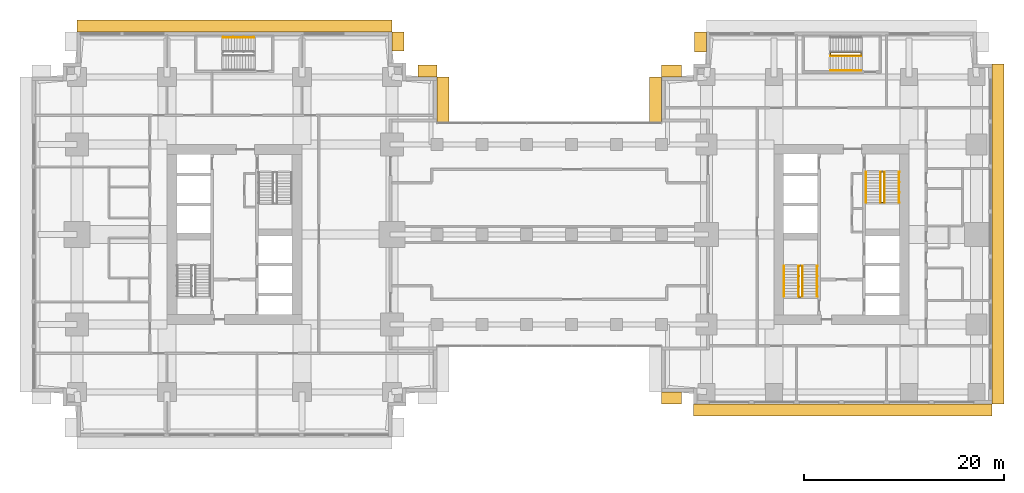
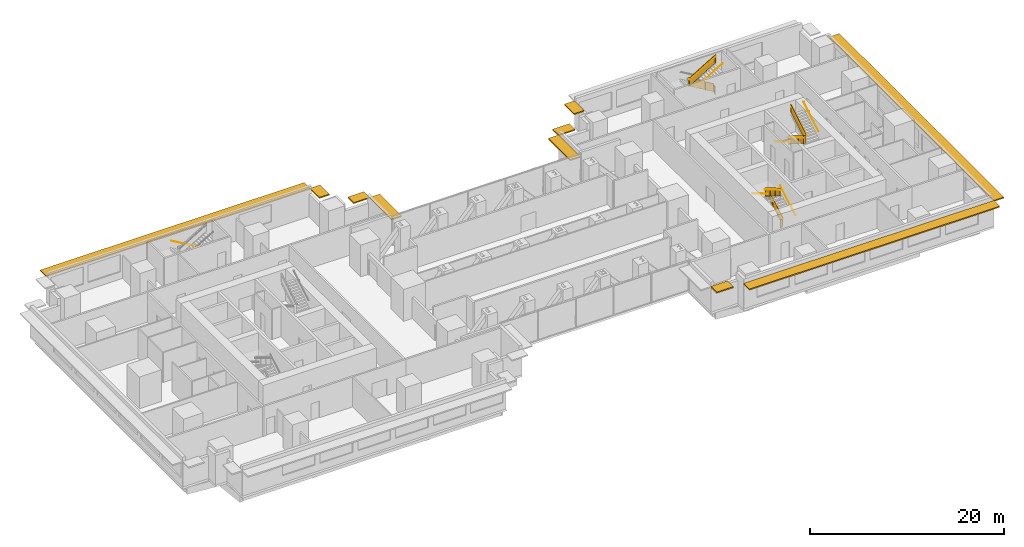
# One storey, part 14 of 15: 14 railings, 10 shading devices.
"""IFC4 building model written with IfcOpenShell, lengths in metres."""

from ifc_helpers import new_model, si_unit, direction, frame, origin, origin_2d, place, context, subcontext, project, spatial, polyline, rectangle, circle, outline, extrude, material, layer, layer_set, type_object, element, save


model = new_model("IFC4")

# Units and contexts
model_context = context("Model", 3, precision=1e-05, world=origin(), true_north=direction((0.0, 1.0)))
body_context = subcontext(model_context, "Body", "Model", "MODEL_VIEW")
ifc_project = project(units=[si_unit("LENGTHUNIT", "METRE"), si_unit("AREAUNIT", "SQUARE_METRE"), si_unit("VOLUMEUNIT", "CUBIC_METRE"), si_unit("PLANEANGLEUNIT", "RADIAN"), si_unit("MASSUNIT", "GRAM", prefix="KILO")], contexts=[model_context])

# Site, building, storey
site_placement = place(None, origin())
site = spatial("IfcSite", under=ifc_project, at=site_placement, CompositionType="ELEMENT")
building_placement = place(site_placement, origin())
building = spatial("IfcBuilding", under=site, at=building_placement, Name="Namib Vertical Campus", CompositionType="ELEMENT")
storey_placement = place(building_placement, frame((0.0, 0.0, 109.0)))
storey = spatial("IfcBuildingStorey", under=building, at=storey_placement, Name="L25", CompositionType="ELEMENT", Elevation=109.0)

# Railings
ifc_material_1 = material(Name="Steel handrail", Category="steel")
railing_type_1 = type_object("IfcRailingType", Name="Handrail 900", PredefinedType="HANDRAIL", material=ifc_material_1)
railing_1_placement = place(storey_placement, frame((78.550048828125, 14.0, 0.166748046875)))
element("IfcRailing", 1, at=railing_1_placement, inside=storey, type_object=railing_type_1, Name="Handrail HR1 B-S1 L25 1", PredefinedType="HANDRAIL", context=body_context, shape_type="SweptSolid", body=[
    extrude(circle(Radius=0.02392578125, at=origin_2d()), frame((0.0, 0.0, 0.8759765625), z_axis=(0.0, 0.859308565015, 0.511457515432), x_axis=(-1.0, 0.0, 0.0)), (0.0, 0.0, 1.0), 3.58447265625),
    extrude(circle(Radius=0.008056640625, at=origin_2d()), frame((0.0, 0.0, 0.8759765625), z_axis=(1.0, 0.0, 0.0), x_axis=(0.0, 0.0, 1.0)), (0.0, 0.0, 1.0), 0.050048828125),
    extrude(circle(Radius=0.008056640625, at=origin_2d()), frame((0.0, 1.026611328125, 1.48681640625), z_axis=(1.0, 0.0, 0.0), x_axis=(0.0, 0.0, 1.0)), (0.0, 0.0, 1.0), 0.050048828125),
    extrude(circle(Radius=0.008056640625, at=origin_2d()), frame((0.0, 2.053466796875, 2.09814453125), z_axis=(1.0, 0.0, 0.0), x_axis=(0.0, 0.0, 1.0)), (0.0, 0.0, 1.0), 0.050048828125),
    extrude(circle(Radius=0.008056640625, at=origin_2d()), frame((0.0, 3.080078125, 2.708984375), z_axis=(1.0, 0.0, 0.0), x_axis=(0.0, 0.0, 1.0)), (0.0, 0.0, 1.0), 0.050048828125),
])
railing_2_placement = place(storey_placement, frame((75.25, 17.080078125, 2.166748046875)))
element("IfcRailing", 2, at=railing_2_placement, inside=storey, type_object=railing_type_1, Name="Handrail HR1 B-S1 L25 2", PredefinedType="HANDRAIL", context=body_context, shape_type="SweptSolid", body=[
    extrude(circle(Radius=0.02392578125, at=origin_2d()), frame((0.0, 0.0, 0.8759765625), z_axis=(0.0, -0.859308565015, 0.511457515432), x_axis=(1.0, 0.0, 0.0)), (0.0, 0.0, 1.0), 3.58447265625),
    extrude(circle(Radius=0.008056640625, at=origin_2d()), frame((0.0, 0.0, 0.8759765625), z_axis=(-1.0, 0.0, 0.0), x_axis=(0.0, 0.0, 1.0)), (0.0, 0.0, 1.0), 0.050048828125),
    extrude(circle(Radius=0.008056640625, at=origin_2d()), frame((0.0, -1.026611328125, 1.48681640625), z_axis=(-1.0, 0.0, 0.0), x_axis=(0.0, 0.0, 1.0)), (0.0, 0.0, 1.0), 0.050048828125),
    extrude(circle(Radius=0.008056640625, at=origin_2d()), frame((0.0, -2.053466796875, 2.09814453125), z_axis=(-1.0, 0.0, 0.0), x_axis=(0.0, 0.0, 1.0)), (0.0, 0.0, 1.0), 0.050048828125),
    extrude(circle(Radius=0.008056640625, at=origin_2d()), frame((0.0, -3.080078125, 2.708984375), z_axis=(-1.0, 0.0, 0.0), x_axis=(0.0, 0.0, 1.0)), (0.0, 0.0, 1.0), 0.050048828125),
])
railing_3_placement = place(storey_placement, frame((77.10009765625, 14.0, 0.166748046875)))
element("IfcRailing", 3, at=railing_3_placement, inside=storey, type_object=railing_type_1, Name="Handrail HR1 B-S1 L25 1 at the well", PredefinedType="HANDRAIL", context=body_context, shape_type="SweptSolid", body=[
    extrude(circle(Radius=0.02392578125, at=origin_2d()), frame((0.0, 0.0, 0.8759765625), z_axis=(0.0, 0.859308565015, 0.511457515432), x_axis=(-1.0, 0.0, 0.0)), (0.0, 0.0, 1.0), 3.58447265625),
    extrude(circle(Radius=0.008056640625, at=origin_2d()), frame((0.0, 0.0, 0.8759765625), z_axis=(-1.0, 0.0, 0.0), x_axis=(0.0, 0.0, 1.0)), (0.0, 0.0, 1.0), 0.0400390625),
    extrude(circle(Radius=0.008056640625, at=origin_2d()), frame((0.0, 1.026611328125, 1.48681640625), z_axis=(-1.0, 0.0, 0.0), x_axis=(0.0, 0.0, 1.0)), (0.0, 0.0, 1.0), 0.0400390625),
    extrude(circle(Radius=0.008056640625, at=origin_2d()), frame((0.0, 2.053466796875, 2.09814453125), z_axis=(-1.0, 0.0, 0.0), x_axis=(0.0, 0.0, 1.0)), (0.0, 0.0, 1.0), 0.0400390625),
    extrude(circle(Radius=0.008056640625, at=origin_2d()), frame((0.0, 3.080078125, 2.708984375), z_axis=(-1.0, 0.0, 0.0), x_axis=(0.0, 0.0, 1.0)), (0.0, 0.0, 1.0), 0.0400390625),
])
railing_4_placement = place(storey_placement, frame((76.699951171875, 17.080078125, 2.166748046875)))
element("IfcRailing", 4, at=railing_4_placement, inside=storey, type_object=railing_type_1, Name="Handrail HR1 B-S1 L25 2 at the well", PredefinedType="HANDRAIL", context=body_context, shape_type="SweptSolid", body=[
    extrude(circle(Radius=0.02392578125, at=origin_2d()), frame((0.0, 0.0, 0.8759765625), z_axis=(0.0, -0.859308565015, 0.511457515432), x_axis=(1.0, 0.0, 0.0)), (0.0, 0.0, 1.0), 3.58447265625),
    extrude(circle(Radius=0.008056640625, at=origin_2d()), frame((0.0, 0.0, 0.8759765625), z_axis=(1.0, 0.0, 0.0), x_axis=(0.0, 0.0, 1.0)), (0.0, 0.0, 1.0), 0.0400390625),
    extrude(circle(Radius=0.008056640625, at=origin_2d()), frame((0.0, -1.026611328125, 1.48681640625), z_axis=(1.0, 0.0, 0.0), x_axis=(0.0, 0.0, 1.0)), (0.0, 0.0, 1.0), 0.0400390625),
    extrude(circle(Radius=0.008056640625, at=origin_2d()), frame((0.0, -2.053466796875, 2.09814453125), z_axis=(1.0, 0.0, 0.0), x_axis=(0.0, 0.0, 1.0)), (0.0, 0.0, 1.0), 0.0400390625),
    extrude(circle(Radius=0.008056640625, at=origin_2d()), frame((0.0, -3.080078125, 2.708984375), z_axis=(1.0, 0.0, 0.0), x_axis=(0.0, 0.0, 1.0)), (0.0, 0.0, 1.0), 0.0400390625),
])
railing_5_placement = place(storey_placement, frame((83.449951171875, 26.5, 0.166748046875)))
element("IfcRailing", 5, at=railing_5_placement, inside=storey, type_object=railing_type_1, Name="Handrail HR1 B-S2 L25 1", PredefinedType="HANDRAIL", context=body_context, shape_type="SweptSolid", body=[
    extrude(circle(Radius=0.02392578125, at=origin_2d()), frame((0.0, 0.0, 0.8759765625), z_axis=(0.0, -0.859308565015, 0.511457515432), x_axis=(1.0, 0.0, 0.0)), (0.0, 0.0, 1.0), 3.58447265625),
    extrude(circle(Radius=0.008056640625, at=origin_2d()), frame((0.0, 0.0, 0.8759765625), z_axis=(-1.0, 0.0, 0.0), x_axis=(0.0, 0.0, 1.0)), (0.0, 0.0, 1.0), 0.050048828125),
    extrude(circle(Radius=0.008056640625, at=origin_2d()), frame((0.0, -1.026611328125, 1.48681640625), z_axis=(-1.0, 0.0, 0.0), x_axis=(0.0, 0.0, 1.0)), (0.0, 0.0, 1.0), 0.050048828125),
    extrude(circle(Radius=0.008056640625, at=origin_2d()), frame((0.0, -2.053466796875, 2.09814453125), z_axis=(-1.0, 0.0, 0.0), x_axis=(0.0, 0.0, 1.0)), (0.0, 0.0, 1.0), 0.050048828125),
    extrude(circle(Radius=0.008056640625, at=origin_2d()), frame((0.0, -3.080078125, 2.708984375), z_axis=(-1.0, 0.0, 0.0), x_axis=(0.0, 0.0, 1.0)), (0.0, 0.0, 1.0), 0.050048828125),
])
railing_6_placement = place(storey_placement, frame((86.75, 23.419921875, 2.166748046875)))
element("IfcRailing", 6, at=railing_6_placement, inside=storey, type_object=railing_type_1, Name="Handrail HR1 B-S2 L25 2", PredefinedType="HANDRAIL", context=body_context, shape_type="SweptSolid", body=[
    extrude(circle(Radius=0.02392578125, at=origin_2d()), frame((0.0, 0.0, 0.8759765625), z_axis=(0.0, 0.859308565015, 0.511457515432), x_axis=(-1.0, 0.0, 0.0)), (0.0, 0.0, 1.0), 3.58447265625),
    extrude(circle(Radius=0.008056640625, at=origin_2d()), frame((0.0, 0.0, 0.8759765625), z_axis=(1.0, 0.0, 0.0), x_axis=(0.0, 0.0, 1.0)), (0.0, 0.0, 1.0), 0.050048828125),
    extrude(circle(Radius=0.008056640625, at=origin_2d()), frame((0.0, 1.026611328125, 1.48681640625), z_axis=(1.0, 0.0, 0.0), x_axis=(0.0, 0.0, 1.0)), (0.0, 0.0, 1.0), 0.050048828125),
    extrude(circle(Radius=0.008056640625, at=origin_2d()), frame((0.0, 2.053466796875, 2.09814453125), z_axis=(1.0, 0.0, 0.0), x_axis=(0.0, 0.0, 1.0)), (0.0, 0.0, 1.0), 0.050048828125),
    extrude(circle(Radius=0.008056640625, at=origin_2d()), frame((0.0, 3.080078125, 2.708984375), z_axis=(1.0, 0.0, 0.0), x_axis=(0.0, 0.0, 1.0)), (0.0, 0.0, 1.0), 0.050048828125),
])
railing_7_placement = place(storey_placement, frame((84.89990234375, 26.5, 0.166748046875)))
element("IfcRailing", 7, at=railing_7_placement, inside=storey, type_object=railing_type_1, Name="Handrail HR1 B-S2 L25 1 at the well", PredefinedType="HANDRAIL", context=body_context, shape_type="SweptSolid", body=[
    extrude(circle(Radius=0.02392578125, at=origin_2d()), frame((0.0, 0.0, 0.8759765625), z_axis=(0.0, -0.859308565015, 0.511457515432), x_axis=(1.0, 0.0, 0.0)), (0.0, 0.0, 1.0), 3.58447265625),
    extrude(circle(Radius=0.008056640625, at=origin_2d()), frame((0.0, 0.0, 0.8759765625), z_axis=(1.0, 0.0, 0.0), x_axis=(0.0, 0.0, 1.0)), (0.0, 0.0, 1.0), 0.0400390625),
    extrude(circle(Radius=0.008056640625, at=origin_2d()), frame((0.0, -1.026611328125, 1.48681640625), z_axis=(1.0, 0.0, 0.0), x_axis=(0.0, 0.0, 1.0)), (0.0, 0.0, 1.0), 0.0400390625),
    extrude(circle(Radius=0.008056640625, at=origin_2d()), frame((0.0, -2.053466796875, 2.09814453125), z_axis=(1.0, 0.0, 0.0), x_axis=(0.0, 0.0, 1.0)), (0.0, 0.0, 1.0), 0.0400390625),
    extrude(circle(Radius=0.008056640625, at=origin_2d()), frame((0.0, -3.080078125, 2.708984375), z_axis=(1.0, 0.0, 0.0), x_axis=(0.0, 0.0, 1.0)), (0.0, 0.0, 1.0), 0.0400390625),
])
railing_8_placement = place(storey_placement, frame((85.300048828125, 23.419921875, 2.166748046875)))
element("IfcRailing", 8, at=railing_8_placement, inside=storey, type_object=railing_type_1, Name="Handrail HR1 B-S2 L25 2 at the well", PredefinedType="HANDRAIL", context=body_context, shape_type="SweptSolid", body=[
    extrude(circle(Radius=0.02392578125, at=origin_2d()), frame((0.0, 0.0, 0.8759765625), z_axis=(0.0, 0.859308565015, 0.511457515432), x_axis=(-1.0, 0.0, 0.0)), (0.0, 0.0, 1.0), 3.58447265625),
    extrude(circle(Radius=0.008056640625, at=origin_2d()), frame((0.0, 0.0, 0.8759765625), z_axis=(-1.0, 0.0, 0.0), x_axis=(0.0, 0.0, 1.0)), (0.0, 0.0, 1.0), 0.0400390625),
    extrude(circle(Radius=0.008056640625, at=origin_2d()), frame((0.0, 1.026611328125, 1.48681640625), z_axis=(-1.0, 0.0, 0.0), x_axis=(0.0, 0.0, 1.0)), (0.0, 0.0, 1.0), 0.0400390625),
    extrude(circle(Radius=0.008056640625, at=origin_2d()), frame((0.0, 2.053466796875, 2.09814453125), z_axis=(-1.0, 0.0, 0.0), x_axis=(0.0, 0.0, 1.0)), (0.0, 0.0, 1.0), 0.0400390625),
    extrude(circle(Radius=0.008056640625, at=origin_2d()), frame((0.0, 3.080078125, 2.708984375), z_axis=(-1.0, 0.0, 0.0), x_axis=(0.0, 0.0, 1.0)), (0.0, 0.0, 1.0), 0.0400390625),
])
railing_9_placement = place(storey_placement, frame((22.199951171875, 39.949951171875, 0.166748046875)))
element("IfcRailing", 9, at=railing_9_placement, inside=storey, type_object=railing_type_1, Name="Handrail HR1 A-S3 L25 1", PredefinedType="HANDRAIL", context=body_context, shape_type="SweptSolid", body=[
    extrude(circle(Radius=0.02392578125, at=origin_2d()), frame((0.0, 0.0, 0.8759765625), z_axis=(-0.859290745958, 0.0, 0.51148745235), x_axis=(0.0, -1.0, 0.0)), (0.0, 0.0, 1.0), 3.584228515625),
    extrude(circle(Radius=0.008056640625, at=origin_2d()), frame((0.0, 0.0, 0.8759765625), z_axis=(0.0, 1.0, 0.0), x_axis=(0.0, 0.0, 1.0)), (0.0, 0.0, 1.0), 0.050048828125),
    extrude(circle(Radius=0.008056640625, at=origin_2d()), frame((-1.026611328125, 0.0, 1.48681640625), z_axis=(0.0, 1.0, 0.0), x_axis=(0.0, 0.0, 1.0)), (0.0, 0.0, 1.0), 0.050048828125),
    extrude(circle(Radius=0.008056640625, at=origin_2d()), frame((-2.05322265625, 0.0, 2.09814453125), z_axis=(0.0, 1.0, 0.0), x_axis=(0.0, 0.0, 1.0)), (0.0, 0.0, 1.0), 0.050048828125),
    extrude(circle(Radius=0.008056640625, at=origin_2d()), frame((-3.079833984375, 0.0, 2.708984375), z_axis=(0.0, 1.0, 0.0), x_axis=(0.0, 0.0, 1.0)), (0.0, 0.0, 1.0), 0.050048828125),
])
railing_10_placement = place(storey_placement, frame((79.8701171875, 36.64990234375, 2.166748046875)))
element("IfcRailing", 10, at=railing_10_placement, inside=storey, type_object=railing_type_1, Name="Handrail HR1 B-S3 L25 2", PredefinedType="HANDRAIL", context=body_context, shape_type="SweptSolid", body=[
    extrude(circle(Radius=0.02392578125, at=origin_2d()), frame((0.0, 0.0, 0.8759765625), z_axis=(0.859290745958, 0.0, 0.51148745235), x_axis=(0.0, 1.0, 0.0)), (0.0, 0.0, 1.0), 3.584228515625),
    extrude(circle(Radius=0.008056640625, at=origin_2d()), frame((0.0, 0.0, 0.8759765625), z_axis=(0.0, -1.0, 0.0), x_axis=(0.0, 0.0, 1.0)), (0.0, 0.0, 1.0), 0.050048828125),
    extrude(circle(Radius=0.008056640625, at=origin_2d()), frame((1.026611328125, 0.0, 1.48681640625), z_axis=(0.0, -1.0, 0.0), x_axis=(0.0, 0.0, 1.0)), (0.0, 0.0, 1.0), 0.050048828125),
    extrude(circle(Radius=0.008056640625, at=origin_2d()), frame((2.05322265625, 0.0, 2.09814453125), z_axis=(0.0, -1.0, 0.0), x_axis=(0.0, 0.0, 1.0)), (0.0, 0.0, 1.0), 0.050048828125),
    extrude(circle(Radius=0.008056640625, at=origin_2d()), frame((3.079833984375, 0.0, 2.708984375), z_axis=(0.0, -1.0, 0.0), x_axis=(0.0, 0.0, 1.0)), (0.0, 0.0, 1.0), 0.050048828125),
])
railing_11_placement = place(storey_placement, frame((79.8701171875, 38.10009765625, 2.166748046875)))
element("IfcRailing", 11, at=railing_11_placement, inside=storey, type_object=railing_type_1, Name="Handrail HR1 B-S3 L25 2 at the well", PredefinedType="HANDRAIL", context=body_context, shape_type="SweptSolid", body=[
    extrude(circle(Radius=0.02392578125, at=origin_2d()), frame((0.0, 0.0, 0.8759765625), z_axis=(0.859290745958, 0.0, 0.51148745235), x_axis=(0.0, 1.0, 0.0)), (0.0, 0.0, 1.0), 3.584228515625),
    extrude(circle(Radius=0.008056640625, at=origin_2d()), frame((0.0, 0.0, 0.8759765625), z_axis=(0.0, 1.0, 0.0), x_axis=(0.0, 0.0, 1.0)), (0.0, 0.0, 1.0), 0.0400390625),
    extrude(circle(Radius=0.008056640625, at=origin_2d()), frame((1.026611328125, 0.0, 1.48681640625), z_axis=(0.0, 1.0, 0.0), x_axis=(0.0, 0.0, 1.0)), (0.0, 0.0, 1.0), 0.0400390625),
    extrude(circle(Radius=0.008056640625, at=origin_2d()), frame((2.05322265625, 0.0, 2.09814453125), z_axis=(0.0, 1.0, 0.0), x_axis=(0.0, 0.0, 1.0)), (0.0, 0.0, 1.0), 0.0400390625),
    extrude(circle(Radius=0.008056640625, at=origin_2d()), frame((3.079833984375, 0.0, 2.708984375), z_axis=(0.0, 1.0, 0.0), x_axis=(0.0, 0.0, 1.0)), (0.0, 0.0, 1.0), 0.0400390625),
])
ifc_material_2 = material(Name="Steel balustrade", Category="steel")
railing_type_2 = type_object("IfcRailingType", Name="Stair guard 1100", PredefinedType="GUARDRAIL", material=ifc_material_2)
railing_12_placement = place(storey_placement, frame((76.75, 14.0, 0.0)))
element("IfcRailing", 12, at=railing_12_placement, inside=storey, type_object=railing_type_2, Name="Stair guard GR1 B-S1 L25", PredefinedType="GUARDRAIL", context=body_context, shape_type="SweptSolid", body=[
    extrude(circle(Radius=0.02392578125, at=origin_2d()), frame((0.0, 0.0, 1.076171875), z_axis=(1.0, 0.0, 0.0), x_axis=(0.0, 1.0, 0.0)), (0.0, 0.0, 1.0), 0.300048828125),
    extrude(outline(polyline([(0.02099609375, 0.050048828125), (0.279052734375, 0.050048828125), (0.279052734375, 1.052001953125), (0.02099609375, 1.052001953125), (0.02099609375, 0.050048828125)])), frame((0.0, 0.010009765625, 0.0), z_axis=(0.0, -1.0, 0.0), x_axis=(1.0, 0.0, 0.0)), (0.0, 0.0, 1.0), 0.02001953125),
    extrude(circle(Radius=0.02392578125, at=origin_2d()), frame((0.300048828125, 0.0, 1.076171875), z_axis=(0.0, 0.0, 1.0), x_axis=(1.0, 0.0, 0.0)), (0.0, 0.0, 1.0), 0.166748046875),
    extrude(circle(Radius=0.02392578125, at=origin_2d()), frame((0.300048828125, 0.0, 1.24267578125), z_axis=(0.0, 0.859308565015, 0.511457515432), x_axis=(-1.0, 0.0, 0.0)), (0.0, 0.0, 1.0), 3.58447265625),
    extrude(outline(polyline([(0.02099609375, 0.0625), (3.05908203125, 1.870849609375), (3.05908203125, 2.872802734375), (0.02099609375, 1.064453125), (0.02099609375, 0.0625)])), frame((0.2900390625, 0.0, 0.166748046875), z_axis=(1.0, 0.0, 0.0), x_axis=(0.0, 1.0, 0.0)), (0.0, 0.0, 1.0), 0.02001953125),
    extrude(circle(Radius=0.02392578125, at=origin_2d()), frame((0.300048828125, 3.080078125, 3.076171875), z_axis=(-1.0, 0.0, 0.0), x_axis=(0.0, -1.0, 0.0)), (0.0, 0.0, 1.0), 0.300048828125),
    extrude(outline(polyline([(0.02099609375, 0.050048828125), (0.279052734375, 0.050048828125), (0.279052734375, 1.052001953125), (0.02099609375, 1.052001953125), (0.02099609375, 0.050048828125)])), frame((0.300048828125, 3.070068359375, 2.0), z_axis=(0.0, 1.0, 0.0), x_axis=(-1.0, 0.0, 0.0)), (0.0, 0.0, 1.0), 0.02001953125),
    extrude(circle(Radius=0.02392578125, at=origin_2d()), frame((0.0, 3.080078125, 3.076171875), z_axis=(0.0, 0.0, 1.0), x_axis=(1.0, 0.0, 0.0)), (0.0, 0.0, 1.0), 0.166748046875),
    extrude(circle(Radius=0.02392578125, at=origin_2d()), frame((0.0, 3.080078125, 3.24267578125), z_axis=(0.0, -0.859308565015, 0.511457515432), x_axis=(1.0, 0.0, 0.0)), (0.0, 0.0, 1.0), 3.58447265625),
    extrude(outline(polyline([(0.02099609375, 0.0625), (3.05908203125, 1.870849609375), (3.05908203125, 2.872802734375), (0.02099609375, 1.064453125), (0.02099609375, 0.0625)])), frame((0.010009765625, 3.080078125, 2.166748046875), z_axis=(-1.0, 0.0, 0.0), x_axis=(0.0, -1.0, 0.0)), (0.0, 0.0, 1.0), 0.02001953125),
    extrude(circle(Radius=0.02392578125, at=origin_2d()), frame((0.0, 0.0, 5.076171875), z_axis=(0.0, -1.0, 0.0), x_axis=(1.0, 0.0, 0.0)), (0.0, 0.0, 1.0), 0.050048828125),
    extrude(outline(polyline([(0.02099609375, 0.050048828125), (0.029052734375, 0.050048828125), (0.029052734375, 1.052001953125), (0.02099609375, 1.052001953125), (0.02099609375, 0.050048828125)])), frame((0.010009765625, 0.0, 4.0), z_axis=(-1.0, 0.0, 0.0), x_axis=(0.0, -1.0, 0.0)), (0.0, 0.0, 1.0), 0.02001953125),
    extrude(circle(Radius=0.02099609375, at=origin_2d()), origin(), (0.0, 0.0, 1.0), 1.052001953125),
    extrude(circle(Radius=0.02099609375, at=origin_2d()), frame((0.300048828125, 0.0, 0.166748046875)), (0.0, 0.0, 1.0), 1.052001953125),
    extrude(circle(Radius=0.02099609375, at=origin_2d()), frame((0.300048828125, 1.026611328125, 0.666748046875)), (0.0, 0.0, 1.0), 1.1630859375),
    extrude(circle(Radius=0.02099609375, at=origin_2d()), frame((0.300048828125, 2.053466796875, 1.33349609375)), (0.0, 0.0, 1.0), 1.107421875),
    extrude(circle(Radius=0.02099609375, at=origin_2d()), frame((0.300048828125, 3.080078125, 2.0)), (0.0, 0.0, 1.0), 1.052001953125),
    extrude(circle(Radius=0.02099609375, at=origin_2d()), frame((0.0, 3.080078125, 2.166748046875)), (0.0, 0.0, 1.0), 1.052001953125),
    extrude(circle(Radius=0.02099609375, at=origin_2d()), frame((0.0, 2.053466796875, 2.666748046875)), (0.0, 0.0, 1.0), 1.1630859375),
    extrude(circle(Radius=0.02099609375, at=origin_2d()), frame((0.0, 1.026611328125, 3.33349609375)), (0.0, 0.0, 1.0), 1.107421875),
    extrude(circle(Radius=0.02099609375, at=origin_2d()), frame((0.0, 0.0, 4.0)), (0.0, 0.0, 1.0), 1.052001953125),
    extrude(circle(Radius=0.02099609375, at=origin_2d()), frame((0.0, -0.050048828125, 4.0)), (0.0, 0.0, 1.0), 1.052001953125),
])
railing_13_placement = place(storey_placement, frame((85.25, 26.5, 0.0)))
element("IfcRailing", 13, at=railing_13_placement, inside=storey, type_object=railing_type_2, Name="Stair guard GR1 B-S2 L25", PredefinedType="GUARDRAIL", context=body_context, shape_type="SweptSolid", body=[
    extrude(circle(Radius=0.02392578125, at=origin_2d()), frame((0.0, 0.0, 1.076171875), z_axis=(-1.0, 0.0, 0.0), x_axis=(0.0, -1.0, 0.0)), (0.0, 0.0, 1.0), 0.300048828125),
    extrude(outline(polyline([(0.02099609375, 0.050048828125), (0.279052734375, 0.050048828125), (0.279052734375, 1.052001953125), (0.02099609375, 1.052001953125), (0.02099609375, 0.050048828125)])), frame((0.0, -0.010009765625, 0.0), z_axis=(0.0, 1.0, 0.0), x_axis=(-1.0, 0.0, 0.0)), (0.0, 0.0, 1.0), 0.02001953125),
    extrude(circle(Radius=0.02392578125, at=origin_2d()), frame((-0.300048828125, 0.0, 1.076171875), z_axis=(0.0, 0.0, 1.0), x_axis=(1.0, 0.0, 0.0)), (0.0, 0.0, 1.0), 0.166748046875),
    extrude(circle(Radius=0.02392578125, at=origin_2d()), frame((-0.300048828125, 0.0, 1.24267578125), z_axis=(0.0, -0.859308565015, 0.511457515432), x_axis=(1.0, 0.0, 0.0)), (0.0, 0.0, 1.0), 3.58447265625),
    extrude(outline(polyline([(0.02099609375, 0.0625), (3.05908203125, 1.870849609375), (3.05908203125, 2.872802734375), (0.02099609375, 1.064453125), (0.02099609375, 0.0625)])), frame((-0.2900390625, 0.0, 0.166748046875), z_axis=(-1.0, 0.0, 0.0), x_axis=(0.0, -1.0, 0.0)), (0.0, 0.0, 1.0), 0.02001953125),
    extrude(circle(Radius=0.02392578125, at=origin_2d()), frame((-0.300048828125, -3.080078125, 3.076171875), z_axis=(1.0, 0.0, 0.0), x_axis=(0.0, 1.0, 0.0)), (0.0, 0.0, 1.0), 0.300048828125),
    extrude(outline(polyline([(0.02099609375, 0.050048828125), (0.279052734375, 0.050048828125), (0.279052734375, 1.052001953125), (0.02099609375, 1.052001953125), (0.02099609375, 0.050048828125)])), frame((-0.300048828125, -3.070068359375, 2.0), z_axis=(0.0, -1.0, 0.0), x_axis=(1.0, 0.0, 0.0)), (0.0, 0.0, 1.0), 0.02001953125),
    extrude(circle(Radius=0.02392578125, at=origin_2d()), frame((0.0, -3.080078125, 3.076171875), z_axis=(0.0, 0.0, 1.0), x_axis=(1.0, 0.0, 0.0)), (0.0, 0.0, 1.0), 0.166748046875),
    extrude(circle(Radius=0.02392578125, at=origin_2d()), frame((0.0, -3.080078125, 3.24267578125), z_axis=(0.0, 0.859308565015, 0.511457515432), x_axis=(-1.0, 0.0, 0.0)), (0.0, 0.0, 1.0), 3.58447265625),
    extrude(outline(polyline([(0.02099609375, 0.0625), (3.05908203125, 1.870849609375), (3.05908203125, 2.872802734375), (0.02099609375, 1.064453125), (0.02099609375, 0.0625)])), frame((-0.010009765625, -3.080078125, 2.166748046875), z_axis=(1.0, 0.0, 0.0), x_axis=(0.0, 1.0, 0.0)), (0.0, 0.0, 1.0), 0.02001953125),
    extrude(circle(Radius=0.02392578125, at=origin_2d()), frame((0.0, 0.0, 5.076171875), z_axis=(0.0, 1.0, 0.0), x_axis=(-1.0, 0.0, 0.0)), (0.0, 0.0, 1.0), 0.050048828125),
    extrude(outline(polyline([(0.02099609375, 0.050048828125), (0.029052734375, 0.050048828125), (0.029052734375, 1.052001953125), (0.02099609375, 1.052001953125), (0.02099609375, 0.050048828125)])), frame((-0.010009765625, 0.0, 4.0), z_axis=(1.0, 0.0, 0.0), x_axis=(0.0, 1.0, 0.0)), (0.0, 0.0, 1.0), 0.02001953125),
    extrude(circle(Radius=0.02099609375, at=origin_2d()), origin(), (0.0, 0.0, 1.0), 1.052001953125),
    extrude(circle(Radius=0.02099609375, at=origin_2d()), frame((-0.300048828125, 0.0, 0.166748046875)), (0.0, 0.0, 1.0), 1.052001953125),
    extrude(circle(Radius=0.02099609375, at=origin_2d()), frame((-0.300048828125, -1.026611328125, 0.666748046875)), (0.0, 0.0, 1.0), 1.1630859375),
    extrude(circle(Radius=0.02099609375, at=origin_2d()), frame((-0.300048828125, -2.053466796875, 1.33349609375)), (0.0, 0.0, 1.0), 1.107421875),
    extrude(circle(Radius=0.02099609375, at=origin_2d()), frame((-0.300048828125, -3.080078125, 2.0)), (0.0, 0.0, 1.0), 1.052001953125),
    extrude(circle(Radius=0.02099609375, at=origin_2d()), frame((0.0, -3.080078125, 2.166748046875)), (0.0, 0.0, 1.0), 1.052001953125),
    extrude(circle(Radius=0.02099609375, at=origin_2d()), frame((0.0, -2.053466796875, 2.666748046875)), (0.0, 0.0, 1.0), 1.1630859375),
    extrude(circle(Radius=0.02099609375, at=origin_2d()), frame((0.0, -1.026611328125, 3.33349609375)), (0.0, 0.0, 1.0), 1.107421875),
    extrude(circle(Radius=0.02099609375, at=origin_2d()), frame((0.0, 0.0, 4.0)), (0.0, 0.0, 1.0), 1.052001953125),
    extrude(circle(Radius=0.02099609375, at=origin_2d()), frame((0.0, 0.050048828125, 4.0)), (0.0, 0.0, 1.0), 1.052001953125),
])
railing_14_placement = place(storey_placement, frame((82.949951171875, 38.14990234375, 0.0)))
element("IfcRailing", 14, at=railing_14_placement, inside=storey, type_object=railing_type_2, Name="Stair guard GR1 B-S3 L25", PredefinedType="GUARDRAIL", context=body_context, shape_type="SweptSolid", body=[
    extrude(circle(Radius=0.02392578125, at=origin_2d()), frame((0.0, 0.0, 1.076171875), z_axis=(0.0, 1.0, 0.0), x_axis=(-1.0, 0.0, 0.0)), (0.0, 0.0, 1.0), 0.300048828125),
    extrude(outline(polyline([(0.02099609375, 0.050048828125), (0.279052734375, 0.050048828125), (0.279052734375, 1.052001953125), (0.02099609375, 1.052001953125), (0.02099609375, 0.050048828125)])), frame((-0.010009765625, 0.0, 0.0), z_axis=(1.0, 0.0, 0.0), x_axis=(0.0, 1.0, 0.0)), (0.0, 0.0, 1.0), 0.02001953125),
    extrude(circle(Radius=0.02392578125, at=origin_2d()), frame((0.0, 0.300048828125, 1.076171875), z_axis=(0.0, 0.0, 1.0), x_axis=(1.0, 0.0, 0.0)), (0.0, 0.0, 1.0), 0.166748046875),
    extrude(circle(Radius=0.02392578125, at=origin_2d()), frame((0.0, 0.300048828125, 1.24267578125), z_axis=(-0.859290745958, 0.0, 0.51148745235), x_axis=(0.0, -1.0, 0.0)), (0.0, 0.0, 1.0), 3.584228515625),
    extrude(outline(polyline([(0.02099609375, 0.0625), (3.058837890625, 1.870849609375), (3.058837890625, 2.872802734375), (0.02099609375, 1.064453125), (0.02099609375, 0.0625)])), frame((0.0, 0.2900390625, 0.166748046875), z_axis=(0.0, 1.0, 0.0), x_axis=(-1.0, 0.0, 0.0)), (0.0, 0.0, 1.0), 0.02001953125),
    extrude(circle(Radius=0.02392578125, at=origin_2d()), frame((-3.079833984375, 0.300048828125, 3.076171875), z_axis=(0.0, -1.0, 0.0), x_axis=(1.0, 0.0, 0.0)), (0.0, 0.0, 1.0), 0.300048828125),
    extrude(outline(polyline([(0.02099609375, 0.050048828125), (0.279052734375, 0.050048828125), (0.279052734375, 1.052001953125), (0.02099609375, 1.052001953125), (0.02099609375, 0.050048828125)])), frame((-3.06982421875, 0.300048828125, 2.0), z_axis=(-1.0, 0.0, 0.0), x_axis=(0.0, -1.0, 0.0)), (0.0, 0.0, 1.0), 0.02001953125),
    extrude(circle(Radius=0.02392578125, at=origin_2d()), frame((-3.079833984375, 0.0, 3.076171875), z_axis=(0.0, 0.0, 1.0), x_axis=(1.0, 0.0, 0.0)), (0.0, 0.0, 1.0), 0.166748046875),
    extrude(circle(Radius=0.02392578125, at=origin_2d()), frame((-3.079833984375, 0.0, 3.24267578125), z_axis=(0.859290745958, 0.0, 0.51148745235), x_axis=(0.0, 1.0, 0.0)), (0.0, 0.0, 1.0), 3.584228515625),
    extrude(outline(polyline([(0.02099609375, 0.0625), (3.058837890625, 1.870849609375), (3.058837890625, 2.872802734375), (0.02099609375, 1.064453125), (0.02099609375, 0.0625)])), frame((-3.079833984375, 0.010009765625, 2.166748046875), z_axis=(0.0, -1.0, 0.0), x_axis=(1.0, 0.0, 0.0)), (0.0, 0.0, 1.0), 0.02001953125),
    extrude(circle(Radius=0.02392578125, at=origin_2d()), frame((0.0, 0.0, 5.076171875), z_axis=(1.0, 0.0, 0.0), x_axis=(0.0, 1.0, 0.0)), (0.0, 0.0, 1.0), 0.050048828125),
    extrude(outline(polyline([(0.02099609375, 0.050048828125), (0.029052734375, 0.050048828125), (0.029052734375, 1.052001953125), (0.02099609375, 1.052001953125), (0.02099609375, 0.050048828125)])), frame((0.0, 0.010009765625, 4.0), z_axis=(0.0, -1.0, 0.0), x_axis=(1.0, 0.0, 0.0)), (0.0, 0.0, 1.0), 0.02001953125),
    extrude(circle(Radius=0.02099609375, at=origin_2d()), origin(), (0.0, 0.0, 1.0), 1.052001953125),
    extrude(circle(Radius=0.02099609375, at=origin_2d()), frame((0.0, 0.300048828125, 0.166748046875)), (0.0, 0.0, 1.0), 1.052001953125),
    extrude(circle(Radius=0.02099609375, at=origin_2d()), frame((-1.026611328125, 0.300048828125, 0.666748046875)), (0.0, 0.0, 1.0), 1.1630859375),
    extrude(circle(Radius=0.02099609375, at=origin_2d()), frame((-2.05322265625, 0.300048828125, 1.33349609375)), (0.0, 0.0, 1.0), 1.107421875),
    extrude(circle(Radius=0.02099609375, at=origin_2d()), frame((-3.079833984375, 0.300048828125, 2.0)), (0.0, 0.0, 1.0), 1.052001953125),
    extrude(circle(Radius=0.02099609375, at=origin_2d()), frame((-3.079833984375, 0.0, 2.166748046875)), (0.0, 0.0, 1.0), 1.052001953125),
    extrude(circle(Radius=0.02099609375, at=origin_2d()), frame((-2.05322265625, 0.0, 2.666748046875)), (0.0, 0.0, 1.0), 1.1630859375),
    extrude(circle(Radius=0.02099609375, at=origin_2d()), frame((-1.026611328125, 0.0, 3.33349609375)), (0.0, 0.0, 1.0), 1.107421875),
    extrude(circle(Radius=0.02099609375, at=origin_2d()), frame((0.0, 0.0, 4.0)), (0.0, 0.0, 1.0), 1.052001953125),
    extrude(circle(Radius=0.02099609375, at=origin_2d()), frame((0.050048828125, 0.0, 4.0)), (0.0, 0.0, 1.0), 1.052001953125),
])

# Shading devices
ifc_material_3 = material(Name="Concrete C40/50 precast", Category="concrete")
ifc_layer = layer(ifc_material_3, 0.14990234375)
ifc_layer_set = layer_set([ifc_layer], Name="Concrete C40/50 precast")
shading_device_type = type_object("IfcShadingDeviceType", Name="Sunshade hood 1200", PredefinedType="SHUTTER", material=ifc_layer_set)
shading_device_1_placement = place(storey_placement, frame((41.10009765625, 33.75, 3.10009765625), z_axis=(0.0, 0.0, 1.0), x_axis=(0.0, 1.0, 0.0)))
element("IfcShadingDevice", 15, at=shading_device_1_placement, inside=storey, type_object=shading_device_type, Name="Sunshade SH2 L25 11", PredefinedType="SHUTTER", context=body_context, shape_type="SweptSolid", body=[
    extrude(rectangle(XDim=4.5, YDim=1.199951171875, at=origin_2d()), origin(), (0.0, 0.0, 1.0), 0.14990234375),
])
for number, where, z_axis, x_axis, name in (
    (16, (39.550048828125, 36.60009765625, 3.10009765625), (0.0, 0.0, 1.0), (-1.0, 0.0, 0.0), "Sunshade SH2 L25 12"),
    (17, (36.60009765625, 39.550048828125, 3.10009765625), (0.0, 0.0, 1.0), (0.0, 1.0, 0.0), "Sunshade SH2 L25 15"),
):
    element("IfcShadingDevice", number, at=place(storey_placement, frame(where, z_axis=z_axis, x_axis=x_axis)), inside=storey, type_object=shading_device_type, Name=name, PredefinedType="SHUTTER", context=body_context, shape_type="SweptSolid", body=[
        extrude(rectangle(XDim=1.89990234375, YDim=1.199951171875, at=origin_2d()), origin(), (0.0, 0.0, 1.0), 0.14990234375),
    ])
shading_device_2_placement = place(storey_placement, frame((20.25, 41.10009765625, 3.10009765625), z_axis=(0.0, 0.0, 1.0), x_axis=(-1.0, 0.0, 0.0)))
element("IfcShadingDevice", 18, at=shading_device_2_placement, inside=storey, type_object=shading_device_type, Name="Sunshade SH2 L25 16", PredefinedType="SHUTTER", context=body_context, shape_type="SweptSolid", body=[
    extrude(rectangle(XDim=31.5, YDim=1.199951171875, at=origin_2d()), origin(), (0.0, 0.0, 1.0), 0.14990234375),
])
shading_device_3_placement = place(storey_placement, frame((64.0, 3.89990234375, 3.10009765625), z_axis=(0.0, 0.0, 1.0), x_axis=(1.0, 0.0, 0.0)))
element("IfcShadingDevice", 19, at=shading_device_3_placement, inside=storey, type_object=shading_device_type, Name="Sunshade SH2 L25 2", PredefinedType="SHUTTER", context=body_context, shape_type="SweptSolid", body=[
    extrude(rectangle(XDim=2.0, YDim=1.199951171875, at=origin_2d()), origin(), (0.0, 0.0, 1.0), 0.14990234375),
])
shading_device_4_placement = place(storey_placement, frame((81.125, 2.699951171875, 3.10009765625), z_axis=(0.0, 0.0, 1.0), x_axis=(1.0, 0.0, 0.0)))
element("IfcShadingDevice", 20, at=shading_device_4_placement, inside=storey, type_object=shading_device_type, Name="Sunshade SH2 L25 4", PredefinedType="SHUTTER", context=body_context, shape_type="SweptSolid", body=[
    extrude(rectangle(XDim=29.85009765625, YDim=1.199951171875, at=origin_2d()), origin(), (0.0, 0.0, 1.0), 0.14990234375),
])
shading_device_5_placement = place(storey_placement, frame((96.64990234375, 20.300048828125, 3.10009765625), z_axis=(0.0, 0.0, 1.0), x_axis=(0.0, 1.0, 0.0)))
element("IfcShadingDevice", 21, at=shading_device_5_placement, inside=storey, type_object=shading_device_type, Name="Sunshade SH2 L25 5", PredefinedType="SHUTTER", context=body_context, shape_type="SweptSolid", body=[
    extrude(rectangle(XDim=34.0, YDim=1.199951171875, at=origin_2d()), origin(), (0.0, 0.0, 1.0), 0.14990234375),
])
for number, where, z_axis, x_axis, name in (
    (22, (66.89990234375, 39.5, 3.10009765625), (0.0, 0.0, 1.0), (0.0, -1.0, 0.0), "Sunshade SH2 L25 9"),
    (23, (64.0, 36.60009765625, 3.10009765625), (0.0, 0.0, 1.0), (-1.0, 0.0, 0.0), "Sunshade SH2 L25 12"),
):
    element("IfcShadingDevice", number, at=place(storey_placement, frame(where, z_axis=z_axis, x_axis=x_axis)), inside=storey, type_object=shading_device_type, Name=name, PredefinedType="SHUTTER", context=body_context, shape_type="SweptSolid", body=[
        extrude(rectangle(XDim=2.0, YDim=1.199951171875, at=origin_2d()), origin(), (0.0, 0.0, 1.0), 0.14990234375),
    ])
shading_device_6_placement = place(storey_placement, frame((62.39990234375, 33.75, 3.10009765625), z_axis=(0.0, 0.0, 1.0), x_axis=(0.0, -1.0, 0.0)))
element("IfcShadingDevice", 24, at=shading_device_6_placement, inside=storey, type_object=shading_device_type, Name="Sunshade SH2 L25 13", PredefinedType="SHUTTER", context=body_context, shape_type="SweptSolid", body=[
    extrude(rectangle(XDim=4.5, YDim=1.199951171875, at=origin_2d()), origin(), (0.0, 0.0, 1.0), 0.14990234375),
])

save(model, "model.ifc")
